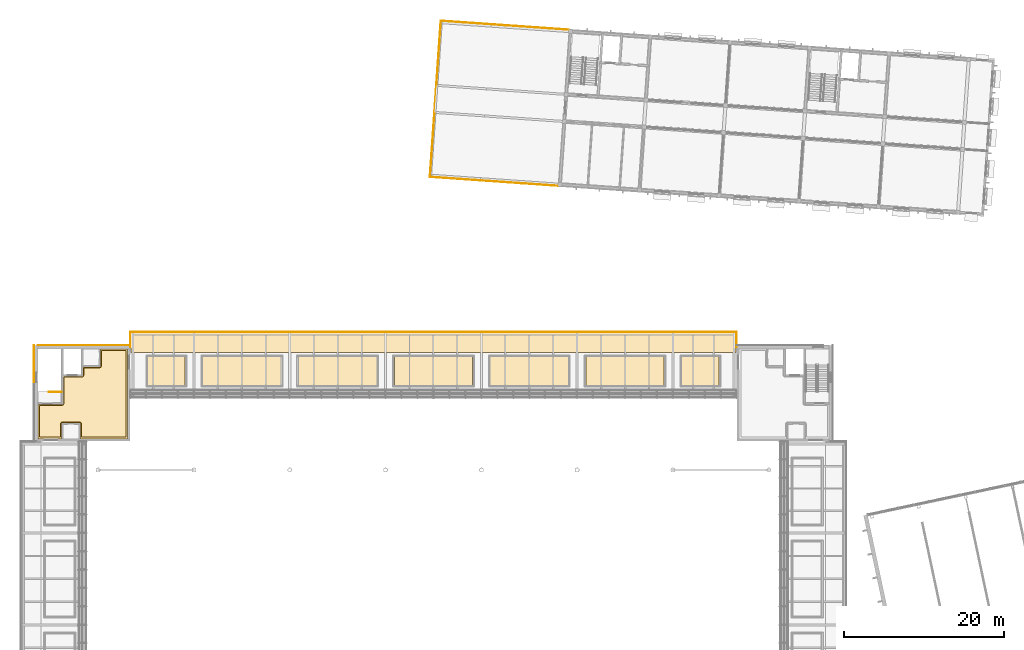
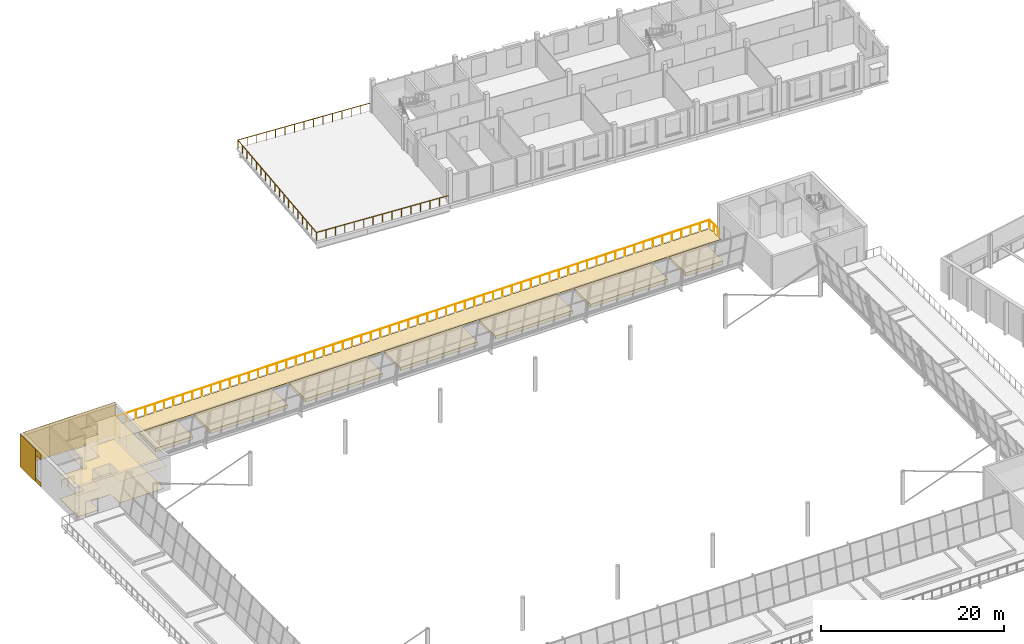
# One storey, part 52 of 58: 14 coverings, 3 railings.
"""IFC4 building model written with IfcOpenShell, lengths in metres."""

from ifc_helpers import new_model, si_unit, direction, frame, origin, origin_2d, place, context, subcontext, project, spatial, polyline, circle, outline, extrude, material, layer, layer_set, type_object, element, save


model = new_model("IFC4")

# Units and contexts
model_context = context("Model", 3, precision=1e-05, world=origin(), true_north=direction((0.0, 1.0)))
body_context = subcontext(model_context, "Body", "Model", "MODEL_VIEW")
ifc_project = project(units=[si_unit("LENGTHUNIT", "METRE"), si_unit("AREAUNIT", "SQUARE_METRE"), si_unit("VOLUMEUNIT", "CUBIC_METRE"), si_unit("PLANEANGLEUNIT", "RADIAN"), si_unit("MASSUNIT", "GRAM", prefix="KILO")], contexts=[model_context])

# Site, building, storey
site_placement = place(None, origin())
site = spatial("IfcSite", under=ifc_project, at=site_placement, CompositionType="ELEMENT")
building_placement = place(site_placement, origin())
building = spatial("IfcBuilding", under=site, at=building_placement, Name="Windward Yard Aquatics Centre", CompositionType="ELEMENT")
storey_placement = place(building_placement, frame((0.0, 0.0, 13.800048828125)))
storey = spatial("IfcBuildingStorey", under=building, at=storey_placement, Name="L03", CompositionType="ELEMENT", Elevation=13.800048828125)

# Covering
ifc_material_1 = material(Name="Polished screed")
ifc_layer_1 = layer(ifc_material_1, 0.0400390625)
ifc_layer_set_1 = layer_set([ifc_layer_1], Name="H Floor Finish Screed 40")
covering_type_1 = type_object("IfcCoveringType", Name="H Floor Finish Screed 40", PredefinedType="FLOORING", material=ifc_layer_set_1)
covering_1_placement = place(storey_placement, origin())
element("IfcCovering", 1, at=covering_1_placement, inside=storey, type_object=covering_type_1, Name="Core Lobby NW floor finish", PredefinedType="FLOORING", context=body_context, shape_type="SweptSolid", body=[
    extrude(outline(polyline([(52.64990234375, 84.5), (52.64990234375, 88.5), (55.5, 88.5), (55.5390625, 88.50390625), (55.55810546875, 88.508544921875), (55.59423828125, 88.523681640625), (55.626953125, 88.54541015625), (55.654541015625, 88.572998046875), (55.676513671875, 88.605712890625), (55.69140625, 88.641845703125), (55.698974609375, 88.680419921875), (55.699951171875, 88.699951171875), (55.699951171875, 92.050048828125), (58.0, 92.050048828125), (58.0390625, 92.0537109375), (58.05810546875, 92.05859375), (58.09423828125, 92.073486328125), (58.111083984375, 92.083740234375), (58.126953125, 92.095458984375), (58.154541015625, 92.123046875), (58.176513671875, 92.15576171875), (58.184814453125, 92.173583984375), (58.19140625, 92.19189453125), (58.198974609375, 92.23046875), (58.199951171875, 93.199951171875), (60.199951171875, 93.199951171875), (60.239013671875, 93.203857421875), (60.258056640625, 93.20849609375), (60.294189453125, 93.2236328125), (60.31103515625, 93.233642578125), (60.34130859375, 93.258544921875), (60.3544921875, 93.273193359375), (60.37646484375, 93.3056640625), (60.391357421875, 93.341796875), (60.39892578125, 93.38037109375), (60.39990234375, 93.39990234375), (60.39990234375, 95.35009765625), (63.5, 95.35009765625), (63.5, 84.5), (57.89990234375, 84.5), (57.89892578125, 86.219482421875), (57.891357421875, 86.258056640625), (57.87646484375, 86.294189453125), (57.8544921875, 86.326904296875), (57.826904296875, 86.3544921875), (57.794189453125, 86.37646484375), (57.758056640625, 86.391357421875), (57.739013671875, 86.396240234375), (57.699951171875, 86.39990234375), (55.5, 86.39990234375), (55.4609375, 86.396240234375), (55.44189453125, 86.391357421875), (55.40576171875, 86.37646484375), (55.373046875, 86.3544921875), (55.345458984375, 86.326904296875), (55.323486328125, 86.294189453125), (55.30859375, 86.258056640625), (55.301025390625, 86.219482421875), (55.300048828125, 86.199951171875), (55.300048828125, 84.5), (52.64990234375, 84.5)])), origin(), (0.0, 0.0, 1.0), 0.02001953125),
])

# Railing
ifc_material_2 = material(Name="Stainless steel 1.4529", Category="steel")
railing_type_1 = type_object("IfcRailingType", Name="H Guard Steel 1100", PredefinedType="GUARDRAIL", material=ifc_material_2)
railing_1_placement = place(storey_placement, frame((55.39990234375, 90.14990234375, 0.0)))
element("IfcRailing", 2, at=railing_1_placement, inside=storey, type_object=railing_type_1, Name="L03 ST3 top well guard 1", PredefinedType="GUARDRAIL", context=body_context, shape_type="SweptSolid", body=[
    extrude(circle(Radius=0.02392578125, at=origin_2d()), frame((0.0, 0.0, 1.076171875), z_axis=(-1.0, 0.0, 0.0), x_axis=(0.0, -1.0, 0.0)), (0.0, 0.0, 1.0), 1.5498046875),
    extrude(circle(Radius=0.02099609375, at=origin_2d()), origin(), (0.0, 0.0, 1.0), 1.052001953125),
    extrude(circle(Radius=0.02099609375, at=origin_2d()), frame((-0.77490234375, 0.0, 0.0)), (0.0, 0.0, 1.0), 1.052001953125),
    extrude(circle(Radius=0.02099609375, at=origin_2d()), frame((-1.5498046875, 0.0, 0.0)), (0.0, 0.0, 1.0), 1.052001953125),
])

# Coverings
ifc_material_3 = material(Name="Mineral fibre tile")
ifc_layer_2 = layer(ifc_material_3, 0.02001953125)
ifc_layer_set_2 = layer_set([ifc_layer_2], Name="H Suspended Ceiling 600 x 600")
covering_type_2 = type_object("IfcCoveringType", Name="H Suspended Ceiling 600 x 600", PredefinedType="CEILING", material=ifc_layer_set_2)
covering_2_placement = place(storey_placement, frame((0.0, 0.0, 3.0)))
element("IfcCovering", 3, at=covering_2_placement, inside=storey, type_object=covering_type_2, Name="Core Lobby NW ceiling", PredefinedType="CEILING", context=body_context, shape_type="SweptSolid", body=[
    extrude(outline(polyline([(52.450439453125, 84.300537109375), (52.450439453125, 88.599609375), (55.6005859375, 88.60009765625), (55.6005859375, 92.1494140625), (58.1005859375, 92.14990234375), (58.1005859375, 93.324462890625), (60.275390625, 93.324951171875), (60.275390625, 95.549560546875), (63.699462890625, 95.549560546875), (63.699462890625, 84.300537109375), (57.775390625, 84.300537109375), (57.775390625, 86.27490234375), (57.625, 86.275390625), (55.424560546875, 86.27490234375), (55.424560546875, 84.300537109375), (52.450439453125, 84.300537109375)])), origin(), (0.0, 0.0, 1.0), 0.02001953125),
])
ifc_material_4 = material(Name="Natural limestone cladding", Category="masonry")
ifc_layer_3 = layer(ifc_material_4, 0.0400390625)
ifc_layer_set_3 = layer_set([ifc_layer_3], Name="H natural stone cladding 40")
covering_type_3 = type_object("IfcCoveringType", Name="H natural stone cladding 40", PredefinedType="CLADDING", material=ifc_layer_set_3)
covering_3_placement = place(storey_placement, origin())
element("IfcCovering", 4, at=covering_3_placement, inside=storey, type_object=covering_type_3, Name="Stone cladding panel 65", PredefinedType="CLADDING", context=body_context, shape_type="SweptSolid", body=[
    extrude(outline(polyline([(52.449951171875, 96.0), (64.0, 96.0), (64.0, 96.0400390625), (52.449951171875, 96.0400390625), (52.449951171875, 96.0)])), origin(), (0.0, 0.0, 1.0), 4.39990234375),
])
covering_4_placement = place(storey_placement, origin())
element("IfcCovering", 5, at=covering_4_placement, inside=storey, type_object=covering_type_3, Name="Stone cladding panel 80", PredefinedType="CLADDING", context=body_context, shape_type="SweptSolid", body=[
    extrude(outline(polyline([(51.9599609375, 92.60009765625), (51.9599609375, 96.0), (52.0, 96.0), (52.0, 92.60009765625), (51.9599609375, 92.60009765625)])), origin(), (0.0, 0.0, 1.0), 4.39990234375),
])
covering_5_placement = place(storey_placement, origin())
element("IfcCovering", 6, at=covering_5_placement, inside=storey, type_object=covering_type_3, Name="Stone cladding panel 81", PredefinedType="CLADDING", context=body_context, shape_type="SweptSolid", body=[
    extrude(outline(polyline([(51.9599609375, 91.39990234375), (51.9599609375, 92.60009765625), (52.0, 92.60009765625), (52.0, 91.39990234375), (51.9599609375, 91.39990234375)])), origin(), (0.0, 0.0, 1.0), 0.599853515625),
])
covering_6_placement = place(storey_placement, frame((0.0, 0.0, 3.599853515625)))
element("IfcCovering", 7, at=covering_6_placement, inside=storey, type_object=covering_type_3, Name="Stone cladding panel 82", PredefinedType="CLADDING", context=body_context, shape_type="SweptSolid", body=[
    extrude(outline(polyline([(51.9599609375, 91.39990234375), (51.9599609375, 92.60009765625), (52.0, 92.60009765625), (52.0, 91.39990234375), (51.9599609375, 91.39990234375)])), origin(), (0.0, 0.0, 1.0), 0.800048828125),
])
ifc_material_5 = material(Name="Planting soil")
ifc_layer_4 = layer(ifc_material_5, 0.398, Name="Planting")
ifc_material_6 = material(Name="Filter fabric")
ifc_layer_5 = layer(ifc_material_6, 0.002, Name="Filter")
ifc_material_7 = material(Name="Drainage board")
ifc_layer_6 = layer(ifc_material_7, 0.05, Name="Drainage")
ifc_layer_set_4 = layer_set([ifc_layer_4, ifc_layer_5, ifc_layer_6], Name="H planting bed 450")
covering_type_4 = type_object("IfcCoveringType", Name="H planting bed 450", PredefinedType="USERDEFINED", material=ifc_layer_set_4)
covering_7_placement = place(storey_placement, origin())
element("IfcCovering", 8, at=covering_7_placement, inside=storey, type_object=covering_type_4, Name="Planting bed T1 N1", ObjectType="PLANTING BED", PredefinedType="USERDEFINED", context=body_context, shape_type="SweptSolid", body=[
    extrude(outline(polyline([(66.199951171875, 91.0), (70.89990234375, 91.0), (70.89990234375, 94.60009765625), (66.199951171875, 94.60009765625), (66.199951171875, 91.0)])), origin(), (0.0, 0.0, 1.0), 0.449951171875),
])
covering_8_placement = place(storey_placement, origin())
element("IfcCovering", 9, at=covering_8_placement, inside=storey, type_object=covering_type_4, Name="Planting bed T1 N2", ObjectType="PLANTING BED", PredefinedType="USERDEFINED", context=body_context, shape_type="SweptSolid", body=[
    extrude(outline(polyline([(73.10009765625, 91.0), (82.89990234375, 91.0), (82.89990234375, 94.60009765625), (73.10009765625, 94.60009765625), (73.10009765625, 91.0)])), origin(), (0.0, 0.0, 1.0), 0.449951171875),
])
covering_9_placement = place(storey_placement, origin())
element("IfcCovering", 10, at=covering_9_placement, inside=storey, type_object=covering_type_4, Name="Planting bed T1 N3", ObjectType="PLANTING BED", PredefinedType="USERDEFINED", context=body_context, shape_type="SweptSolid", body=[
    extrude(outline(polyline([(85.10009765625, 91.0), (94.89990234375, 91.0), (94.89990234375, 94.60009765625), (85.10009765625, 94.60009765625), (85.10009765625, 91.0)])), origin(), (0.0, 0.0, 1.0), 0.449951171875),
])
covering_10_placement = place(storey_placement, origin())
element("IfcCovering", 11, at=covering_10_placement, inside=storey, type_object=covering_type_4, Name="Planting bed T1 N4", ObjectType="PLANTING BED", PredefinedType="USERDEFINED", context=body_context, shape_type="SweptSolid", body=[
    extrude(outline(polyline([(97.10009765625, 91.0), (106.89990234375, 91.0), (106.89990234375, 94.60009765625), (97.10009765625, 94.60009765625), (97.10009765625, 91.0)])), origin(), (0.0, 0.0, 1.0), 0.449951171875),
])
covering_11_placement = place(storey_placement, origin())
element("IfcCovering", 12, at=covering_11_placement, inside=storey, type_object=covering_type_4, Name="Planting bed T1 N5", ObjectType="PLANTING BED", PredefinedType="USERDEFINED", context=body_context, shape_type="SweptSolid", body=[
    extrude(outline(polyline([(109.10009765625, 91.0), (118.89990234375, 91.0), (118.89990234375, 94.60009765625), (109.10009765625, 94.60009765625), (109.10009765625, 91.0)])), origin(), (0.0, 0.0, 1.0), 0.449951171875),
])
covering_12_placement = place(storey_placement, origin())
element("IfcCovering", 13, at=covering_12_placement, inside=storey, type_object=covering_type_4, Name="Planting bed T1 N6", ObjectType="PLANTING BED", PredefinedType="USERDEFINED", context=body_context, shape_type="SweptSolid", body=[
    extrude(outline(polyline([(121.10009765625, 91.0), (130.89990234375, 91.0), (130.89990234375, 94.60009765625), (121.10009765625, 94.60009765625), (121.10009765625, 91.0)])), origin(), (0.0, 0.0, 1.0), 0.449951171875),
])
covering_13_placement = place(storey_placement, origin())
element("IfcCovering", 14, at=covering_13_placement, inside=storey, type_object=covering_type_4, Name="Planting bed T1 N7", ObjectType="PLANTING BED", PredefinedType="USERDEFINED", context=body_context, shape_type="SweptSolid", body=[
    extrude(outline(polyline([(133.10009765625, 91.0), (137.800048828125, 91.0), (137.800048828125, 94.60009765625), (133.10009765625, 94.60009765625), (133.10009765625, 91.0)])), origin(), (0.0, 0.0, 1.0), 0.449951171875),
])

# Railing
ifc_material_8 = material(Name="Stainless steel 1.4401 with toughened laminated glass infill", Category="steel")
railing_type_2 = type_object("IfcRailingType", Name="H terrace guard 1100", PredefinedType="GUARDRAIL", material=ifc_material_8)
railing_2_placement = place(storey_placement, frame((64.02099609375, 95.800048828125, 0.0)))
element("IfcRailing", 15, at=railing_2_placement, inside=storey, type_object=railing_type_2, Name="Terrace 1 guard N", PredefinedType="GUARDRAIL", context=body_context, shape_type="SweptSolid", body=[
    extrude(circle(Radius=0.02392578125, at=origin_2d()), frame((0.0, 0.0, 1.076171875), z_axis=(0.0, 1.0, 0.0), x_axis=(-1.0, 0.0, 0.0)), (0.0, 0.0, 1.0), 1.889892578125),
    extrude(circle(Radius=0.02392578125, at=origin_2d()), frame((0.0, 1.889892578125, 1.076171875), z_axis=(1.0, 0.0, 0.0), x_axis=(0.0, 1.0, 0.0)), (0.0, 0.0, 1.0), 75.9580078125),
    extrude(circle(Radius=0.02392578125, at=origin_2d()), frame((75.9580078125, 1.889892578125, 1.076171875), z_axis=(0.0, -1.0, 0.0), x_axis=(1.0, 0.0, 0.0)), (0.0, 0.0, 1.0), 1.889892578125),
    extrude(circle(Radius=0.02099609375, at=origin_2d()), origin(), (0.0, 0.0, 1.0), 1.052001953125),
    extrude(circle(Radius=0.02099609375, at=origin_2d()), frame((0.0, 0.94482421875, 0.0)), (0.0, 0.0, 1.0), 1.052001953125),
    extrude(circle(Radius=0.02099609375, at=origin_2d()), frame((0.0, 1.889892578125, 0.0)), (0.0, 0.0, 1.0), 1.052001953125),
    extrude(circle(Radius=0.02099609375, at=origin_2d()), frame((1.186767578125, 1.889892578125, 0.0)), (0.0, 0.0, 1.0), 1.052001953125),
    extrude(circle(Radius=0.02099609375, at=origin_2d()), frame((2.373779296875, 1.889892578125, 0.0)), (0.0, 0.0, 1.0), 1.052001953125),
    extrude(circle(Radius=0.02099609375, at=origin_2d()), frame((3.560546875, 1.889892578125, 0.0)), (0.0, 0.0, 1.0), 1.052001953125),
    extrude(circle(Radius=0.02099609375, at=origin_2d()), frame((4.747314453125, 1.889892578125, 0.0)), (0.0, 0.0, 1.0), 1.052001953125),
    extrude(circle(Radius=0.02099609375, at=origin_2d()), frame((5.934326171875, 1.889892578125, 0.0)), (0.0, 0.0, 1.0), 1.052001953125),
    extrude(circle(Radius=0.02099609375, at=origin_2d()), frame((7.12109375, 1.889892578125, 0.0)), (0.0, 0.0, 1.0), 1.052001953125),
    extrude(circle(Radius=0.02099609375, at=origin_2d()), frame((8.307861328125, 1.889892578125, 0.0)), (0.0, 0.0, 1.0), 1.052001953125),
    extrude(circle(Radius=0.02099609375, at=origin_2d()), frame((9.49462890625, 1.889892578125, 0.0)), (0.0, 0.0, 1.0), 1.052001953125),
    extrude(circle(Radius=0.02099609375, at=origin_2d()), frame((10.681640625, 1.889892578125, 0.0)), (0.0, 0.0, 1.0), 1.052001953125),
    extrude(circle(Radius=0.02099609375, at=origin_2d()), frame((11.868408203125, 1.889892578125, 0.0)), (0.0, 0.0, 1.0), 1.052001953125),
    extrude(circle(Radius=0.02099609375, at=origin_2d()), frame((13.05517578125, 1.889892578125, 0.0)), (0.0, 0.0, 1.0), 1.052001953125),
    extrude(circle(Radius=0.02099609375, at=origin_2d()), frame((14.2421875, 1.889892578125, 0.0)), (0.0, 0.0, 1.0), 1.052001953125),
    extrude(circle(Radius=0.02099609375, at=origin_2d()), frame((15.428955078125, 1.889892578125, 0.0)), (0.0, 0.0, 1.0), 1.052001953125),
    extrude(circle(Radius=0.02099609375, at=origin_2d()), frame((16.61572265625, 1.889892578125, 0.0)), (0.0, 0.0, 1.0), 1.052001953125),
    extrude(circle(Radius=0.02099609375, at=origin_2d()), frame((17.802734375, 1.889892578125, 0.0)), (0.0, 0.0, 1.0), 1.052001953125),
    extrude(circle(Radius=0.02099609375, at=origin_2d()), frame((18.989501953125, 1.889892578125, 0.0)), (0.0, 0.0, 1.0), 1.052001953125),
    extrude(circle(Radius=0.02099609375, at=origin_2d()), frame((20.17626953125, 1.889892578125, 0.0)), (0.0, 0.0, 1.0), 1.052001953125),
    extrude(circle(Radius=0.02099609375, at=origin_2d()), frame((21.36328125, 1.889892578125, 0.0)), (0.0, 0.0, 1.0), 1.052001953125),
    extrude(circle(Radius=0.02099609375, at=origin_2d()), frame((22.550048828125, 1.889892578125, 0.0)), (0.0, 0.0, 1.0), 1.052001953125),
    extrude(circle(Radius=0.02099609375, at=origin_2d()), frame((23.73681640625, 1.889892578125, 0.0)), (0.0, 0.0, 1.0), 1.052001953125),
    extrude(circle(Radius=0.02099609375, at=origin_2d()), frame((24.923828125, 1.889892578125, 0.0)), (0.0, 0.0, 1.0), 1.052001953125),
    extrude(circle(Radius=0.02099609375, at=origin_2d()), frame((26.110595703125, 1.889892578125, 0.0)), (0.0, 0.0, 1.0), 1.052001953125),
    extrude(circle(Radius=0.02099609375, at=origin_2d()), frame((27.29736328125, 1.889892578125, 0.0)), (0.0, 0.0, 1.0), 1.052001953125),
    extrude(circle(Radius=0.02099609375, at=origin_2d()), frame((28.484375, 1.889892578125, 0.0)), (0.0, 0.0, 1.0), 1.052001953125),
    extrude(circle(Radius=0.02099609375, at=origin_2d()), frame((29.671142578125, 1.889892578125, 0.0)), (0.0, 0.0, 1.0), 1.052001953125),
    extrude(circle(Radius=0.02099609375, at=origin_2d()), frame((30.85791015625, 1.889892578125, 0.0)), (0.0, 0.0, 1.0), 1.052001953125),
    extrude(circle(Radius=0.02099609375, at=origin_2d()), frame((32.044677734375, 1.889892578125, 0.0)), (0.0, 0.0, 1.0), 1.052001953125),
    extrude(circle(Radius=0.02099609375, at=origin_2d()), frame((33.231689453125, 1.889892578125, 0.0)), (0.0, 0.0, 1.0), 1.052001953125),
    extrude(circle(Radius=0.02099609375, at=origin_2d()), frame((34.41845703125, 1.889892578125, 0.0)), (0.0, 0.0, 1.0), 1.052001953125),
    extrude(circle(Radius=0.02099609375, at=origin_2d()), frame((35.605224609375, 1.889892578125, 0.0)), (0.0, 0.0, 1.0), 1.052001953125),
    extrude(circle(Radius=0.02099609375, at=origin_2d()), frame((36.792236328125, 1.889892578125, 0.0)), (0.0, 0.0, 1.0), 1.052001953125),
    extrude(circle(Radius=0.02099609375, at=origin_2d()), frame((37.97900390625, 1.889892578125, 0.0)), (0.0, 0.0, 1.0), 1.052001953125),
    extrude(circle(Radius=0.02099609375, at=origin_2d()), frame((39.165771484375, 1.889892578125, 0.0)), (0.0, 0.0, 1.0), 1.052001953125),
    extrude(circle(Radius=0.02099609375, at=origin_2d()), frame((40.352783203125, 1.889892578125, 0.0)), (0.0, 0.0, 1.0), 1.052001953125),
    extrude(circle(Radius=0.02099609375, at=origin_2d()), frame((41.53955078125, 1.889892578125, 0.0)), (0.0, 0.0, 1.0), 1.052001953125),
    extrude(circle(Radius=0.02099609375, at=origin_2d()), frame((42.726318359375, 1.889892578125, 0.0)), (0.0, 0.0, 1.0), 1.052001953125),
    extrude(circle(Radius=0.02099609375, at=origin_2d()), frame((43.913330078125, 1.889892578125, 0.0)), (0.0, 0.0, 1.0), 1.052001953125),
    extrude(circle(Radius=0.02099609375, at=origin_2d()), frame((45.10009765625, 1.889892578125, 0.0)), (0.0, 0.0, 1.0), 1.052001953125),
    extrude(circle(Radius=0.02099609375, at=origin_2d()), frame((46.286865234375, 1.889892578125, 0.0)), (0.0, 0.0, 1.0), 1.052001953125),
    extrude(circle(Radius=0.02099609375, at=origin_2d()), frame((47.4736328125, 1.889892578125, 0.0)), (0.0, 0.0, 1.0), 1.052001953125),
    extrude(circle(Radius=0.02099609375, at=origin_2d()), frame((48.66064453125, 1.889892578125, 0.0)), (0.0, 0.0, 1.0), 1.052001953125),
    extrude(circle(Radius=0.02099609375, at=origin_2d()), frame((49.847412109375, 1.889892578125, 0.0)), (0.0, 0.0, 1.0), 1.052001953125),
    extrude(circle(Radius=0.02099609375, at=origin_2d()), frame((51.0341796875, 1.889892578125, 0.0)), (0.0, 0.0, 1.0), 1.052001953125),
    extrude(circle(Radius=0.02099609375, at=origin_2d()), frame((52.22119140625, 1.889892578125, 0.0)), (0.0, 0.0, 1.0), 1.052001953125),
    extrude(circle(Radius=0.02099609375, at=origin_2d()), frame((53.407958984375, 1.889892578125, 0.0)), (0.0, 0.0, 1.0), 1.052001953125),
    extrude(circle(Radius=0.02099609375, at=origin_2d()), frame((54.5947265625, 1.889892578125, 0.0)), (0.0, 0.0, 1.0), 1.052001953125),
    extrude(circle(Radius=0.02099609375, at=origin_2d()), frame((55.78173828125, 1.889892578125, 0.0)), (0.0, 0.0, 1.0), 1.052001953125),
    extrude(circle(Radius=0.02099609375, at=origin_2d()), frame((56.968505859375, 1.889892578125, 0.0)), (0.0, 0.0, 1.0), 1.052001953125),
    extrude(circle(Radius=0.02099609375, at=origin_2d()), frame((58.1552734375, 1.889892578125, 0.0)), (0.0, 0.0, 1.0), 1.052001953125),
    extrude(circle(Radius=0.02099609375, at=origin_2d()), frame((59.34228515625, 1.889892578125, 0.0)), (0.0, 0.0, 1.0), 1.052001953125),
    extrude(circle(Radius=0.02099609375, at=origin_2d()), frame((60.529052734375, 1.889892578125, 0.0)), (0.0, 0.0, 1.0), 1.052001953125),
    extrude(circle(Radius=0.02099609375, at=origin_2d()), frame((61.7158203125, 1.889892578125, 0.0)), (0.0, 0.0, 1.0), 1.052001953125),
    extrude(circle(Radius=0.02099609375, at=origin_2d()), frame((62.90283203125, 1.889892578125, 0.0)), (0.0, 0.0, 1.0), 1.052001953125),
    extrude(circle(Radius=0.02099609375, at=origin_2d()), frame((64.089599609375, 1.889892578125, 0.0)), (0.0, 0.0, 1.0), 1.052001953125),
    extrude(circle(Radius=0.02099609375, at=origin_2d()), frame((65.2763671875, 1.889892578125, 0.0)), (0.0, 0.0, 1.0), 1.052001953125),
    extrude(circle(Radius=0.02099609375, at=origin_2d()), frame((66.46337890625, 1.889892578125, 0.0)), (0.0, 0.0, 1.0), 1.052001953125),
    extrude(circle(Radius=0.02099609375, at=origin_2d()), frame((67.650146484375, 1.889892578125, 0.0)), (0.0, 0.0, 1.0), 1.052001953125),
    extrude(circle(Radius=0.02099609375, at=origin_2d()), frame((68.8369140625, 1.889892578125, 0.0)), (0.0, 0.0, 1.0), 1.052001953125),
    extrude(circle(Radius=0.02099609375, at=origin_2d()), frame((70.023681640625, 1.889892578125, 0.0)), (0.0, 0.0, 1.0), 1.052001953125),
    extrude(circle(Radius=0.02099609375, at=origin_2d()), frame((71.210693359375, 1.889892578125, 0.0)), (0.0, 0.0, 1.0), 1.052001953125),
    extrude(circle(Radius=0.02099609375, at=origin_2d()), frame((72.3974609375, 1.889892578125, 0.0)), (0.0, 0.0, 1.0), 1.052001953125),
    extrude(circle(Radius=0.02099609375, at=origin_2d()), frame((73.584228515625, 1.889892578125, 0.0)), (0.0, 0.0, 1.0), 1.052001953125),
    extrude(circle(Radius=0.02099609375, at=origin_2d()), frame((74.771240234375, 1.889892578125, 0.0)), (0.0, 0.0, 1.0), 1.052001953125),
    extrude(circle(Radius=0.02099609375, at=origin_2d()), frame((75.9580078125, 1.889892578125, 0.0)), (0.0, 0.0, 1.0), 1.052001953125),
    extrude(circle(Radius=0.02099609375, at=origin_2d()), frame((75.9580078125, 0.94482421875, 0.0)), (0.0, 0.0, 1.0), 1.052001953125),
    extrude(circle(Radius=0.02099609375, at=origin_2d()), frame((75.9580078125, 0.0, 0.0)), (0.0, 0.0, 1.0), 1.052001953125),
])

# Covering
ifc_material_9 = material(Name="Porcelain paving")
ifc_layer_7 = layer(ifc_material_9, 0.02, Name="Paving")
ifc_material_10 = material(Name="Adjustable pedestal support")
ifc_layer_8 = layer(ifc_material_10, 0.02, Name="Pedestal support")
ifc_layer_set_5 = layer_set([ifc_layer_7, ifc_layer_8], Name="H terrace paving porcelain 40")
covering_type_5 = type_object("IfcCoveringType", Name="H terrace paving porcelain 40", PredefinedType="FLOORING", material=ifc_layer_set_5)
covering_14_placement = place(storey_placement, origin())
element("IfcCovering", 16, at=covering_14_placement, inside=storey, type_object=covering_type_5, Name="Terrace 1 walkway N", PredefinedType="FLOORING", context=body_context, shape_type="SweptSolid", body=[
    extrude(outline(polyline([(64.10009765625, 95.139892578125), (139.89990234375, 95.139892578125), (139.89990234375, 97.5400390625), (64.10009765625, 97.5400390625), (64.10009765625, 95.139892578125)])), origin(), (0.0, 0.0, 1.0), 0.0400390625),
])

# Railing
railing_type_3 = type_object("IfcRailingType", Name="W guard 1100", PredefinedType="GUARDRAIL", material=ifc_material_2)
railing_3_placement = place(storey_placement, frame((117.62548828125, 115.98193359375, 0.0)))
element("IfcRailing", 17, at=railing_3_placement, inside=storey, type_object=railing_type_3, Name="W.GR.TERR.L03", PredefinedType="GUARDRAIL", context=body_context, shape_type="SweptSolid", body=[
    extrude(circle(Radius=0.02392578125, at=origin_2d()), frame((0.0, 0.0, 1.076171875), z_axis=(-0.997564193053, 0.06975443168, 0.0), x_axis=(-0.06975443168, -0.997564193053, 0.0)), (0.0, 0.0, 1.0), 16.10009765625),
    extrude(circle(Radius=0.02392578125, at=origin_2d()), frame((-16.060791015625, 1.123046875, 1.076171875), z_axis=(0.06975450705, 0.997564187783, 0.0), x_axis=(-0.997564187783, 0.06975450705, 0.0)), (0.0, 0.0, 1.0), 19.60009765625),
    extrude(circle(Radius=0.02392578125, at=origin_2d()), frame((-14.693603515625, 20.67529296875, 1.076171875), z_axis=(0.997564193053, -0.06975443168, 0.0), x_axis=(0.06975443168, 0.997564193053, 0.0)), (0.0, 0.0, 1.0), 16.10009765625),
    extrude(circle(Radius=0.02099609375, at=origin_2d()), origin(), (0.0, 0.0, 1.0), 1.052001953125),
    extrude(circle(Radius=0.02099609375, at=origin_2d()), frame((-1.147216796875, 0.080322265625, 0.0)), (0.0, 0.0, 1.0), 1.052001953125),
    extrude(circle(Radius=0.02099609375, at=origin_2d()), frame((-2.29443359375, 0.160400390625, 0.0)), (0.0, 0.0, 1.0), 1.052001953125),
    extrude(circle(Radius=0.02099609375, at=origin_2d()), frame((-3.441650390625, 0.24072265625, 0.0)), (0.0, 0.0, 1.0), 1.052001953125),
    extrude(circle(Radius=0.02099609375, at=origin_2d()), frame((-4.5888671875, 0.32080078125, 0.0)), (0.0, 0.0, 1.0), 1.052001953125),
    extrude(circle(Radius=0.02099609375, at=origin_2d()), frame((-5.736083984375, 0.401123046875, 0.0)), (0.0, 0.0, 1.0), 1.052001953125),
    extrude(circle(Radius=0.02099609375, at=origin_2d()), frame((-6.88330078125, 0.481201171875, 0.0)), (0.0, 0.0, 1.0), 1.052001953125),
    extrude(circle(Radius=0.02099609375, at=origin_2d()), frame((-8.0302734375, 0.5615234375, 0.0)), (0.0, 0.0, 1.0), 1.052001953125),
    extrude(circle(Radius=0.02099609375, at=origin_2d()), frame((-9.177490234375, 0.641845703125, 0.0)), (0.0, 0.0, 1.0), 1.052001953125),
    extrude(circle(Radius=0.02099609375, at=origin_2d()), frame((-10.32470703125, 0.721923828125, 0.0)), (0.0, 0.0, 1.0), 1.052001953125),
    extrude(circle(Radius=0.02099609375, at=origin_2d()), frame((-11.471923828125, 0.80224609375, 0.0)), (0.0, 0.0, 1.0), 1.052001953125),
    extrude(circle(Radius=0.02099609375, at=origin_2d()), frame((-12.619140625, 0.88232421875, 0.0)), (0.0, 0.0, 1.0), 1.052001953125),
    extrude(circle(Radius=0.02099609375, at=origin_2d()), frame((-13.766357421875, 0.962646484375, 0.0)), (0.0, 0.0, 1.0), 1.052001953125),
    extrude(circle(Radius=0.02099609375, at=origin_2d()), frame((-14.91357421875, 1.042724609375, 0.0)), (0.0, 0.0, 1.0), 1.052001953125),
    extrude(circle(Radius=0.02099609375, at=origin_2d()), frame((-16.060791015625, 1.123046875, 0.0)), (0.0, 0.0, 1.0), 1.052001953125),
    extrude(circle(Radius=0.02099609375, at=origin_2d()), frame((-15.98046875, 2.273193359375, 0.0)), (0.0, 0.0, 1.0), 1.052001953125),
    extrude(circle(Radius=0.02099609375, at=origin_2d()), frame((-15.89990234375, 3.42333984375, 0.0)), (0.0, 0.0, 1.0), 1.052001953125),
    extrude(circle(Radius=0.02099609375, at=origin_2d()), frame((-15.819580078125, 4.573486328125, 0.0)), (0.0, 0.0, 1.0), 1.052001953125),
    extrude(circle(Radius=0.02099609375, at=origin_2d()), frame((-15.739013671875, 5.7236328125, 0.0)), (0.0, 0.0, 1.0), 1.052001953125),
    extrude(circle(Radius=0.02099609375, at=origin_2d()), frame((-15.65869140625, 6.873779296875, 0.0)), (0.0, 0.0, 1.0), 1.052001953125),
    extrude(circle(Radius=0.02099609375, at=origin_2d()), frame((-15.578369140625, 8.02392578125, 0.0)), (0.0, 0.0, 1.0), 1.052001953125),
    extrude(circle(Radius=0.02099609375, at=origin_2d()), frame((-15.497802734375, 9.174072265625, 0.0)), (0.0, 0.0, 1.0), 1.052001953125),
    extrude(circle(Radius=0.02099609375, at=origin_2d()), frame((-15.41748046875, 10.32421875, 0.0)), (0.0, 0.0, 1.0), 1.052001953125),
    extrude(circle(Radius=0.02099609375, at=origin_2d()), frame((-15.3369140625, 11.47412109375, 0.0)), (0.0, 0.0, 1.0), 1.052001953125),
    extrude(circle(Radius=0.02099609375, at=origin_2d()), frame((-15.256591796875, 12.624267578125, 0.0)), (0.0, 0.0, 1.0), 1.052001953125),
    extrude(circle(Radius=0.02099609375, at=origin_2d()), frame((-15.176025390625, 13.7744140625, 0.0)), (0.0, 0.0, 1.0), 1.052001953125),
    extrude(circle(Radius=0.02099609375, at=origin_2d()), frame((-15.095703125, 14.924560546875, 0.0)), (0.0, 0.0, 1.0), 1.052001953125),
    extrude(circle(Radius=0.02099609375, at=origin_2d()), frame((-15.015380859375, 16.07470703125, 0.0)), (0.0, 0.0, 1.0), 1.052001953125),
    extrude(circle(Radius=0.02099609375, at=origin_2d()), frame((-14.934814453125, 17.224853515625, 0.0)), (0.0, 0.0, 1.0), 1.052001953125),
    extrude(circle(Radius=0.02099609375, at=origin_2d()), frame((-14.8544921875, 18.375, 0.0)), (0.0, 0.0, 1.0), 1.052001953125),
    extrude(circle(Radius=0.02099609375, at=origin_2d()), frame((-14.77392578125, 19.525146484375, 0.0)), (0.0, 0.0, 1.0), 1.052001953125),
    extrude(circle(Radius=0.02099609375, at=origin_2d()), frame((-14.693603515625, 20.67529296875, 0.0)), (0.0, 0.0, 1.0), 1.052001953125),
    extrude(circle(Radius=0.02099609375, at=origin_2d()), frame((-13.54638671875, 20.594970703125, 0.0)), (0.0, 0.0, 1.0), 1.052001953125),
    extrude(circle(Radius=0.02099609375, at=origin_2d()), frame((-12.399169921875, 20.514892578125, 0.0)), (0.0, 0.0, 1.0), 1.052001953125),
    extrude(circle(Radius=0.02099609375, at=origin_2d()), frame((-11.251953125, 20.4345703125, 0.0)), (0.0, 0.0, 1.0), 1.052001953125),
    extrude(circle(Radius=0.02099609375, at=origin_2d()), frame((-10.104736328125, 20.3544921875, 0.0)), (0.0, 0.0, 1.0), 1.052001953125),
    extrude(circle(Radius=0.02099609375, at=origin_2d()), frame((-8.95751953125, 20.274169921875, 0.0)), (0.0, 0.0, 1.0), 1.052001953125),
    extrude(circle(Radius=0.02099609375, at=origin_2d()), frame((-7.810302734375, 20.194091796875, 0.0)), (0.0, 0.0, 1.0), 1.052001953125),
    extrude(circle(Radius=0.02099609375, at=origin_2d()), frame((-6.6630859375, 20.11376953125, 0.0)), (0.0, 0.0, 1.0), 1.052001953125),
    extrude(circle(Radius=0.02099609375, at=origin_2d()), frame((-5.51611328125, 20.033447265625, 0.0)), (0.0, 0.0, 1.0), 1.052001953125),
    extrude(circle(Radius=0.02099609375, at=origin_2d()), frame((-4.368896484375, 19.953369140625, 0.0)), (0.0, 0.0, 1.0), 1.052001953125),
    extrude(circle(Radius=0.02099609375, at=origin_2d()), frame((-3.2216796875, 19.873046875, 0.0)), (0.0, 0.0, 1.0), 1.052001953125),
    extrude(circle(Radius=0.02099609375, at=origin_2d()), frame((-2.074462890625, 19.79296875, 0.0)), (0.0, 0.0, 1.0), 1.052001953125),
    extrude(circle(Radius=0.02099609375, at=origin_2d()), frame((-0.92724609375, 19.712646484375, 0.0)), (0.0, 0.0, 1.0), 1.052001953125),
    extrude(circle(Radius=0.02099609375, at=origin_2d()), frame((0.219970703125, 19.632568359375, 0.0)), (0.0, 0.0, 1.0), 1.052001953125),
    extrude(circle(Radius=0.02099609375, at=origin_2d()), frame((1.3671875, 19.55224609375, 0.0)), (0.0, 0.0, 1.0), 1.052001953125),
])

save(model, "model.ifc")
